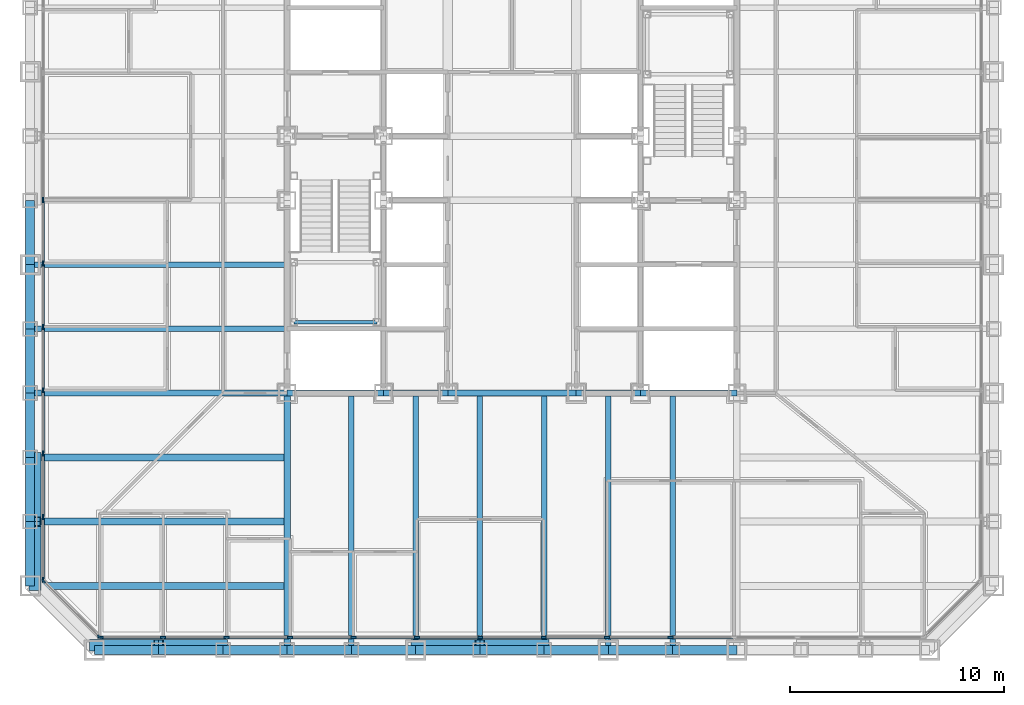
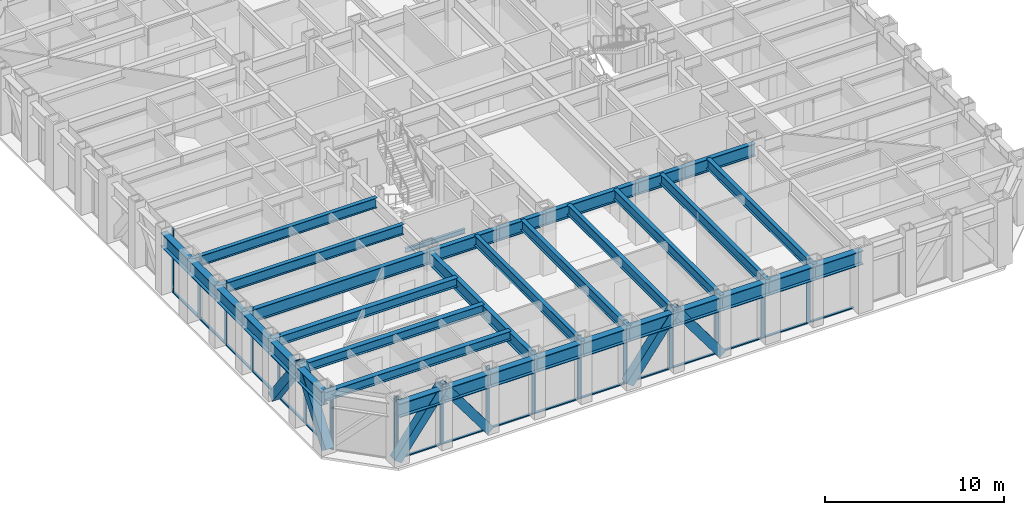
# One storey, part 2 of 17: 41 members, 35 beams, 3 elements without a shape of their own.
"""IFC4 building model written with IfcOpenShell, lengths in metres."""

from ifc_helpers import new_model, si_unit, direction, frame, origin, origin_2d, place, context, subcontext, project, spatial, rectangle, hollow_rectangle, i_section, extrude, material, layer, layer_set, material_profile, profile_set, type_object, element, aggregate, save


model = new_model("IFC4")

# Units and contexts
model_context = context("Model", 3, precision=1e-05, world=origin(), true_north=direction((0.0, 1.0)))
body_context = subcontext(model_context, "Body", "Model", "MODEL_VIEW")
ifc_project = project(units=[si_unit("LENGTHUNIT", "METRE"), si_unit("AREAUNIT", "SQUARE_METRE"), si_unit("VOLUMEUNIT", "CUBIC_METRE"), si_unit("PLANEANGLEUNIT", "RADIAN"), si_unit("MASSUNIT", "GRAM", prefix="KILO")], contexts=[model_context])

# Site, building, storey
site_placement = place(None, origin())
site = spatial("IfcSite", under=ifc_project, at=site_placement, CompositionType="ELEMENT")
building_placement = place(site_placement, origin())
building = spatial("IfcBuilding", under=site, at=building_placement, Name="Chuquiago Exchange Tower", CompositionType="ELEMENT")
storey_placement = place(building_placement, frame((0.0, 0.0, 42.300048828125)))
storey = spatial("IfcBuildingStorey", under=building, at=storey_placement, Name="L08", CompositionType="ELEMENT", Elevation=42.300048828125)

# Beams
ifc_material_1 = material(Name="Steel ASTM A992", Category="steel")
ifc_material_profile_1 = material_profile(ifc_material_1, i_section(OverallWidth=0.2919921875, OverallDepth=0.8583984375, WebThickness=0.01708984375, FlangeThickness=0.031005859375, at=origin_2d()), Name="W33X169")
ifc_profile_set_1 = profile_set([ifc_material_profile_1], Name="Steel ASTM A992")
beam_type_1 = type_object("IfcBeamType", Name="B3 W33X169", PredefinedType="BEAM", material=ifc_profile_set_1)
beam_1_placement = place(storey_placement, frame((12.0, 12.0, 3.610595703125), z_axis=(1.0, 0.0, 0.0), x_axis=(0.0, 1.0, 0.0)))
element("IfcBeam", 1, at=beam_1_placement, inside=storey, type_object=beam_type_1, Name="CB-L09-12_12-16.5_12", PredefinedType="BEAM", context=body_context, shape_type="SweptSolid", body=[
    extrude(i_section(OverallWidth=0.2919921875, OverallDepth=0.8583984375, WebThickness=0.01708984375, FlangeThickness=0.031005859375, at=origin_2d()), origin(), (0.0, 0.0, 1.0), 4.5),
])
beam_2_placement = place(storey_placement, frame((16.5, 12.0, 3.610595703125), z_axis=(1.0, 0.0, 0.0), x_axis=(0.0, 1.0, 0.0)))
element("IfcBeam", 2, at=beam_2_placement, inside=storey, type_object=beam_type_1, Name="CB-L09-16.5_12-19.5_12", PredefinedType="BEAM", context=body_context, shape_type="SweptSolid", body=[
    extrude(i_section(OverallWidth=0.2919921875, OverallDepth=0.8583984375, WebThickness=0.01708984375, FlangeThickness=0.031005859375, at=origin_2d()), origin(), (0.0, 0.0, 1.0), 3.0),
])
beam_3_placement = place(storey_placement, frame((19.5, 12.0, 3.610595703125), z_axis=(1.0, 0.0, 0.0), x_axis=(0.0, 1.0, 0.0)))
element("IfcBeam", 3, at=beam_3_placement, inside=storey, type_object=beam_type_1, Name="CB-L09-19.5_12-25.5_12", PredefinedType="BEAM", context=body_context, shape_type="SweptSolid", body=[
    extrude(i_section(OverallWidth=0.2919921875, OverallDepth=0.8583984375, WebThickness=0.01708984375, FlangeThickness=0.031005859375, at=origin_2d()), origin(), (0.0, 0.0, 1.0), 6.0),
])
beam_4_placement = place(storey_placement, frame((25.5, 12.0, 3.610595703125), z_axis=(1.0, 0.0, 0.0), x_axis=(0.0, 1.0, 0.0)))
element("IfcBeam", 4, at=beam_4_placement, inside=storey, type_object=beam_type_1, Name="CB-L09-25.5_12-28.5_12", PredefinedType="BEAM", context=body_context, shape_type="SweptSolid", body=[
    extrude(i_section(OverallWidth=0.2919921875, OverallDepth=0.8583984375, WebThickness=0.01708984375, FlangeThickness=0.031005859375, at=origin_2d()), origin(), (0.0, 0.0, 1.0), 3.0),
])
beam_5_placement = place(storey_placement, frame((28.5, 12.0, 3.610595703125), z_axis=(1.0, 0.0, 0.0), x_axis=(0.0, 1.0, 0.0)))
element("IfcBeam", 5, at=beam_5_placement, inside=storey, type_object=beam_type_1, Name="CB-L09-28.5_12-33_12", PredefinedType="BEAM", context=body_context, shape_type="SweptSolid", body=[
    extrude(i_section(OverallWidth=0.2919921875, OverallDepth=0.8583984375, WebThickness=0.01708984375, FlangeThickness=0.031005859375, at=origin_2d()), origin(), (0.0, 0.0, 1.0), 4.5),
])
ifc_material_2 = material(Name="Steel ASTM A992", Category="steel")
ifc_material_profile_2 = material_profile(ifc_material_2, i_section(OverallWidth=0.256591796875, OverallDepth=0.693359375, WebThickness=0.014404296875, FlangeThickness=0.023681640625, at=origin_2d()), Name="W27X114")
ifc_profile_set_2 = profile_set([ifc_material_profile_2], Name="Steel ASTM A992")
beam_type_2 = type_object("IfcBeamType", Name="B4 W27X114", PredefinedType="BEAM", material=ifc_profile_set_2)
for number, where, z_axis, x_axis, name in (
    (6, (15.0, 12.0, 3.693359375), (0.0, -1.0, 0.0), (1.0, 0.0, 0.0), "FB-L09-infill-15_12-15_-0-0"),
    (7, (18.0, 12.0, 3.693359375), (0.0, -1.0, 0.0), (1.0, 0.0, 0.0), "FB-L09-infill-18_12-18_-0-0"),
    (8, (21.0, 12.0, 3.693359375), (0.0, -1.0, 0.0), (1.0, 0.0, 0.0), "FB-L09-infill-21_12-21_-0-0"),
    (9, (24.0, 12.0, 3.693359375), (0.0, -1.0, 0.0), (1.0, 0.0, 0.0), "FB-L09-infill-24_12-24_-0-0"),
    (10, (27.0, 12.0, 3.693359375), (0.0, -1.0, 0.0), (1.0, 0.0, 0.0), "FB-L09-infill-27_12-27_-0-0"),
    (11, (30.0, 12.0, 3.693359375), (0.0, -1.0, 0.0), (1.0, 0.0, 0.0), "FB-L09-infill-30_12-30_-0-0"),
    (12, (12.0, 15.0, 3.693359375), (-1.0, 0.0, 0.0), (0.0, -1.0, 0.0), "FB-L09-infill-12_15--0_15-0"),
    (13, (12.0, 18.0, 3.693359375), (-1.0, 0.0, 0.0), (0.0, -1.0, 0.0), "FB-L09-infill-12_18--0_18-0"),
):
    element("IfcBeam", number, at=place(storey_placement, frame(where, z_axis=z_axis, x_axis=x_axis)), inside=storey, type_object=beam_type_2, Name=name, PredefinedType="BEAM", context=body_context, shape_type="SweptSolid", body=[
        extrude(i_section(OverallWidth=0.256591796875, OverallDepth=0.693359375, WebThickness=0.014404296875, FlangeThickness=0.023681640625, at=origin_2d()), origin(), (0.0, 0.0, 1.0), 12.0),
    ])
ifc_material_3 = material(Name="Steel ASTM A992", Category="steel")
ifc_material_profile_3 = material_profile(ifc_material_3, i_section(OverallWidth=0.3251953125, OverallDepth=0.6171875, WebThickness=0.013916015625, FlangeThickness=0.021484375, at=origin_2d()), Name="W24X117")
ifc_profile_set_3 = profile_set([ifc_material_profile_3], Name="Steel ASTM A992")
beam_type_3 = type_object("IfcBeamType", Name="B5 W24X117", PredefinedType="BEAM", material=ifc_profile_set_3)
for number, where, z_axis, x_axis, name in (
    (14, (12.0, 3.0, 3.7314453125), (-1.0, 0.0, 0.0), (0.0, -1.0, 0.0), "FB-L09-corner-12_3--0_3-0"),
    (15, (12.0, 6.0, 3.7314453125), (-1.0, 0.0, 0.0), (0.0, -1.0, 0.0), "FB-L09-corner-12_6--0_6-0"),
    (16, (12.0, 9.0, 3.7314453125), (-1.0, 0.0, 0.0), (0.0, -1.0, 0.0), "FB-L09-corner-12_9--0_9-0"),
):
    element("IfcBeam", number, at=place(storey_placement, frame(where, z_axis=z_axis, x_axis=x_axis)), inside=storey, type_object=beam_type_3, Name=name, PredefinedType="BEAM", context=body_context, shape_type="SweptSolid", body=[
        extrude(i_section(OverallWidth=0.3251953125, OverallDepth=0.6171875, WebThickness=0.013916015625, FlangeThickness=0.021484375, at=origin_2d()), origin(), (0.0, 0.0, 1.0), 12.0),
    ])

# Curtain wall, members
ifc_material_4 = material(Name="Aluminium curtain wall system", Category="aluminium")
ifc_layer_1 = layer(ifc_material_4, 0.25)
ifc_layer_set_1 = layer_set([ifc_layer_1], Name="CW1 trading floor curtain wall")
curtain_wall_type_1 = type_object("IfcCurtainWallType", Name="CW1 trading floor curtain wall", PredefinedType="NOTDEFINED", material=ifc_layer_set_1)
curtain_wall_1_placement = place(storey_placement, origin())
curtain_wall_1 = element("IfcCurtainWall", 17, at=curtain_wall_1_placement, inside=storey, type_object=curtain_wall_type_1, Name="CW1 curtain wall L08", PredefinedType="NOTDEFINED")
ifc_material_5 = material(Name="Aluminium mullion, pale anodised", Category="aluminium")
ifc_material_profile_4 = material_profile(ifc_material_5, rectangle(XDim=0.074951171875, YDim=0.25, at=origin_2d()), Name="AL 75x250")
ifc_profile_set_4 = profile_set([ifc_material_profile_4], Name="Aluminium mullion, pale anodised")
member_type_1 = type_object("IfcMemberType", Name="CW1-M mullion 75x250", PredefinedType="MULLION", material=ifc_profile_set_4)
member_1_placement = place(storey_placement, frame((3.285888671875, 0.60009765625, -0.300048828125), z_axis=(0.0, 0.0, 1.0), x_axis=(0.0, 1.0, 0.0)))
member_1 = element("IfcMember", 18, at=member_1_placement, type_object=member_type_1, Name="CW1 mullion 1", PredefinedType="MULLION", context=body_context, shape_type="SweptSolid", body=[
    extrude(rectangle(XDim=0.074951171875, YDim=0.25, at=origin_2d()), origin(), (0.0, 0.0, 1.0), 4.340087890625),
])
member_2_placement = place(storey_placement, frame((6.210205078125, 0.60009765625, -0.300048828125), z_axis=(0.0, 0.0, 1.0), x_axis=(0.0, 1.0, 0.0)))
member_2 = element("IfcMember", 19, at=member_2_placement, type_object=member_type_1, Name="CW1 mullion 2", PredefinedType="MULLION", context=body_context, shape_type="SweptSolid", body=[
    extrude(rectangle(XDim=0.074951171875, YDim=0.25, at=origin_2d()), origin(), (0.0, 0.0, 1.0), 4.340087890625),
])
member_3_placement = place(storey_placement, frame((9.172119140625, 0.60009765625, -0.300048828125), z_axis=(0.0, 0.0, 1.0), x_axis=(0.0, 1.0, 0.0)))
member_3 = element("IfcMember", 20, at=member_3_placement, type_object=member_type_1, Name="CW1 mullion 3", PredefinedType="MULLION", context=body_context, shape_type="SweptSolid", body=[
    extrude(rectangle(XDim=0.074951171875, YDim=0.25, at=origin_2d()), origin(), (0.0, 0.0, 1.0), 4.340087890625),
])
member_4_placement = place(storey_placement, frame((12.1337890625, 0.60009765625, -0.300048828125), z_axis=(0.0, 0.0, 1.0), x_axis=(0.0, 1.0, 0.0)))
member_4 = element("IfcMember", 21, at=member_4_placement, type_object=member_type_1, Name="CW1 mullion 4", PredefinedType="MULLION", context=body_context, shape_type="SweptSolid", body=[
    extrude(rectangle(XDim=0.074951171875, YDim=0.25, at=origin_2d()), origin(), (0.0, 0.0, 1.0), 4.340087890625),
])
member_5_placement = place(storey_placement, frame((15.095458984375, 0.60009765625, -0.300048828125), z_axis=(0.0, 0.0, 1.0), x_axis=(0.0, 1.0, 0.0)))
member_5 = element("IfcMember", 22, at=member_5_placement, type_object=member_type_1, Name="CW1 mullion 5", PredefinedType="MULLION", context=body_context, shape_type="SweptSolid", body=[
    extrude(rectangle(XDim=0.074951171875, YDim=0.25, at=origin_2d()), origin(), (0.0, 0.0, 1.0), 4.340087890625),
])
member_6_placement = place(storey_placement, frame((18.057373046875, 0.60009765625, -0.300048828125), z_axis=(0.0, 0.0, 1.0), x_axis=(0.0, 1.0, 0.0)))
member_6 = element("IfcMember", 23, at=member_6_placement, type_object=member_type_1, Name="CW1 mullion 6", PredefinedType="MULLION", context=body_context, shape_type="SweptSolid", body=[
    extrude(rectangle(XDim=0.074951171875, YDim=0.25, at=origin_2d()), origin(), (0.0, 0.0, 1.0), 4.340087890625),
])
member_7_placement = place(storey_placement, frame((21.01904296875, 0.60009765625, -0.300048828125), z_axis=(0.0, 0.0, 1.0), x_axis=(0.0, 1.0, 0.0)))
member_7 = element("IfcMember", 24, at=member_7_placement, type_object=member_type_1, Name="CW1 mullion 7", PredefinedType="MULLION", context=body_context, shape_type="SweptSolid", body=[
    extrude(rectangle(XDim=0.074951171875, YDim=0.25, at=origin_2d()), origin(), (0.0, 0.0, 1.0), 4.340087890625),
])
member_8_placement = place(storey_placement, frame((23.98095703125, 0.60009765625, -0.300048828125), z_axis=(0.0, 0.0, 1.0), x_axis=(0.0, 1.0, 0.0)))
member_8 = element("IfcMember", 25, at=member_8_placement, type_object=member_type_1, Name="CW1 mullion 8", PredefinedType="MULLION", context=body_context, shape_type="SweptSolid", body=[
    extrude(rectangle(XDim=0.074951171875, YDim=0.25, at=origin_2d()), origin(), (0.0, 0.0, 1.0), 4.340087890625),
])
member_9_placement = place(storey_placement, frame((26.942626953125, 0.60009765625, -0.300048828125), z_axis=(0.0, 0.0, 1.0), x_axis=(0.0, 1.0, 0.0)))
member_9 = element("IfcMember", 26, at=member_9_placement, type_object=member_type_1, Name="CW1 mullion 9", PredefinedType="MULLION", context=body_context, shape_type="SweptSolid", body=[
    extrude(rectangle(XDim=0.074951171875, YDim=0.25, at=origin_2d()), origin(), (0.0, 0.0, 1.0), 4.340087890625),
])
member_10_placement = place(storey_placement, frame((29.904541015625, 0.60009765625, -0.300048828125), z_axis=(0.0, 0.0, 1.0), x_axis=(0.0, 1.0, 0.0)))
member_10 = element("IfcMember", 27, at=member_10_placement, type_object=member_type_1, Name="CW1 mullion 10", PredefinedType="MULLION", context=body_context, shape_type="SweptSolid", body=[
    extrude(rectangle(XDim=0.074951171875, YDim=0.25, at=origin_2d()), origin(), (0.0, 0.0, 1.0), 4.340087890625),
])

curtain_wall_2_placement = place(storey_placement, origin())
curtain_wall_2 = element("IfcCurtainWall", 28, at=curtain_wall_2_placement, inside=storey, type_object=curtain_wall_type_1, Name="CW1 curtain wall L08", PredefinedType="NOTDEFINED")
member_11_placement = place(storey_placement, frame((0.60009765625, 21.01904296875, -0.300048828125), z_axis=(0.0, 0.0, 1.0), x_axis=(1.0, 0.0, 0.0)))
member_11 = element("IfcMember", 29, at=member_11_placement, type_object=member_type_1, Name="CW1 mullion 8", PredefinedType="MULLION", context=body_context, shape_type="SweptSolid", body=[
    extrude(rectangle(XDim=0.074951171875, YDim=0.25, at=origin_2d()), origin(), (0.0, 0.0, 1.0), 4.340087890625),
])
member_12_placement = place(storey_placement, frame((0.60009765625, 18.057373046875, -0.300048828125), z_axis=(0.0, 0.0, 1.0), x_axis=(1.0, 0.0, 0.0)))
member_12 = element("IfcMember", 30, at=member_12_placement, type_object=member_type_1, Name="CW1 mullion 9", PredefinedType="MULLION", context=body_context, shape_type="SweptSolid", body=[
    extrude(rectangle(XDim=0.074951171875, YDim=0.25, at=origin_2d()), origin(), (0.0, 0.0, 1.0), 4.340087890625),
])
member_13_placement = place(storey_placement, frame((0.60009765625, 15.095458984375, -0.300048828125), z_axis=(0.0, 0.0, 1.0), x_axis=(1.0, 0.0, 0.0)))
member_13 = element("IfcMember", 31, at=member_13_placement, type_object=member_type_1, Name="CW1 mullion 10", PredefinedType="MULLION", context=body_context, shape_type="SweptSolid", body=[
    extrude(rectangle(XDim=0.074951171875, YDim=0.25, at=origin_2d()), origin(), (0.0, 0.0, 1.0), 4.340087890625),
])
member_14_placement = place(storey_placement, frame((0.60009765625, 12.1337890625, -0.300048828125), z_axis=(0.0, 0.0, 1.0), x_axis=(1.0, 0.0, 0.0)))
member_14 = element("IfcMember", 32, at=member_14_placement, type_object=member_type_1, Name="CW1 mullion 11", PredefinedType="MULLION", context=body_context, shape_type="SweptSolid", body=[
    extrude(rectangle(XDim=0.074951171875, YDim=0.25, at=origin_2d()), origin(), (0.0, 0.0, 1.0), 4.340087890625),
])
member_15_placement = place(storey_placement, frame((0.60009765625, 9.172119140625, -0.300048828125), z_axis=(0.0, 0.0, 1.0), x_axis=(1.0, 0.0, 0.0)))
member_15 = element("IfcMember", 33, at=member_15_placement, type_object=member_type_1, Name="CW1 mullion 12", PredefinedType="MULLION", context=body_context, shape_type="SweptSolid", body=[
    extrude(rectangle(XDim=0.074951171875, YDim=0.25, at=origin_2d()), origin(), (0.0, 0.0, 1.0), 4.340087890625),
])
member_16_placement = place(storey_placement, frame((0.60009765625, 6.210205078125, -0.300048828125), z_axis=(0.0, 0.0, 1.0), x_axis=(1.0, 0.0, 0.0)))
member_16 = element("IfcMember", 34, at=member_16_placement, type_object=member_type_1, Name="CW1 mullion 13", PredefinedType="MULLION", context=body_context, shape_type="SweptSolid", body=[
    extrude(rectangle(XDim=0.074951171875, YDim=0.25, at=origin_2d()), origin(), (0.0, 0.0, 1.0), 4.340087890625),
])
member_17_placement = place(storey_placement, frame((0.60009765625, 3.285888671875, -0.300048828125), z_axis=(0.0, 0.0, 1.0), x_axis=(1.0, 0.0, 0.0)))
member_17 = element("IfcMember", 35, at=member_17_placement, type_object=member_type_1, Name="CW1 mullion 14", PredefinedType="MULLION", context=body_context, shape_type="SweptSolid", body=[
    extrude(rectangle(XDim=0.074951171875, YDim=0.25, at=origin_2d()), origin(), (0.0, 0.0, 1.0), 4.340087890625),
])

# Member
ifc_material_6 = material(Name="Aluminium transom, pale anodised", Category="aluminium")
ifc_material_profile_5 = material_profile(ifc_material_6, rectangle(XDim=0.14990234375, YDim=0.074951171875, at=origin_2d()), Name="AL 150x75")
ifc_profile_set_5 = profile_set([ifc_material_profile_5], Name="Aluminium transom, pale anodised")
member_type_2 = type_object("IfcMemberType", Name="CW1-T transom 75x150", PredefinedType="MULLION", material=ifc_profile_set_5)
member_18_placement = place(storey_placement, frame((3.323486328125, 0.60009765625, -0.262451171875), z_axis=(1.0, 0.0, 0.0), x_axis=(0.0, 1.0, 0.0)))
member_18 = element("IfcMember", 36, at=member_18_placement, type_object=member_type_2, Name="CW1 transom 1.1", PredefinedType="MULLION", context=body_context, shape_type="SweptSolid", body=[
    extrude(rectangle(XDim=0.14990234375, YDim=0.074951171875, at=origin_2d()), origin(), (0.0, 0.0, 1.0), 2.849365234375),
])

member_19_placement = place(storey_placement, frame((6.247802734375, 0.60009765625, -0.262451171875), z_axis=(1.0, 0.0, 0.0), x_axis=(0.0, 1.0, 0.0)))
member_19 = element("IfcMember", 37, at=member_19_placement, type_object=member_type_2, Name="CW1 transom 2.1", PredefinedType="MULLION", context=body_context, shape_type="SweptSolid", body=[
    extrude(rectangle(XDim=0.14990234375, YDim=0.074951171875, at=origin_2d()), origin(), (0.0, 0.0, 1.0), 2.88671875),
])

member_20_placement = place(storey_placement, frame((9.20947265625, 0.60009765625, -0.262451171875), z_axis=(1.0, 0.0, 0.0), x_axis=(0.0, 1.0, 0.0)))
member_20 = element("IfcMember", 38, at=member_20_placement, type_object=member_type_2, Name="CW1 transom 3.1", PredefinedType="MULLION", context=body_context, shape_type="SweptSolid", body=[
    extrude(rectangle(XDim=0.14990234375, YDim=0.074951171875, at=origin_2d()), origin(), (0.0, 0.0, 1.0), 2.88671875),
])

member_21_placement = place(storey_placement, frame((12.17138671875, 0.60009765625, -0.262451171875), z_axis=(1.0, 0.0, 0.0), x_axis=(0.0, 1.0, 0.0)))
member_21 = element("IfcMember", 39, at=member_21_placement, type_object=member_type_2, Name="CW1 transom 4.1", PredefinedType="MULLION", context=body_context, shape_type="SweptSolid", body=[
    extrude(rectangle(XDim=0.14990234375, YDim=0.074951171875, at=origin_2d()), origin(), (0.0, 0.0, 1.0), 2.88671875),
])

member_22_placement = place(storey_placement, frame((15.133056640625, 0.60009765625, -0.262451171875), z_axis=(1.0, 0.0, 0.0), x_axis=(0.0, 1.0, 0.0)))
member_22 = element("IfcMember", 40, at=member_22_placement, type_object=member_type_2, Name="CW1 transom 5.1", PredefinedType="MULLION", context=body_context, shape_type="SweptSolid", body=[
    extrude(rectangle(XDim=0.14990234375, YDim=0.074951171875, at=origin_2d()), origin(), (0.0, 0.0, 1.0), 2.88671875),
])

member_23_placement = place(storey_placement, frame((18.0947265625, 0.60009765625, -0.262451171875), z_axis=(1.0, 0.0, 0.0), x_axis=(0.0, 1.0, 0.0)))
member_23 = element("IfcMember", 41, at=member_23_placement, type_object=member_type_2, Name="CW1 transom 6.1", PredefinedType="MULLION", context=body_context, shape_type="SweptSolid", body=[
    extrude(rectangle(XDim=0.14990234375, YDim=0.074951171875, at=origin_2d()), origin(), (0.0, 0.0, 1.0), 2.886962890625),
])

member_24_placement = place(storey_placement, frame((21.056640625, 0.60009765625, -0.262451171875), z_axis=(1.0, 0.0, 0.0), x_axis=(0.0, 1.0, 0.0)))
member_24 = element("IfcMember", 42, at=member_24_placement, type_object=member_type_2, Name="CW1 transom 7.1", PredefinedType="MULLION", context=body_context, shape_type="SweptSolid", body=[
    extrude(rectangle(XDim=0.14990234375, YDim=0.074951171875, at=origin_2d()), origin(), (0.0, 0.0, 1.0), 2.88671875),
])

member_25_placement = place(storey_placement, frame((24.018310546875, 0.60009765625, -0.262451171875), z_axis=(1.0, 0.0, 0.0), x_axis=(0.0, 1.0, 0.0)))
member_25 = element("IfcMember", 43, at=member_25_placement, type_object=member_type_2, Name="CW1 transom 8.1", PredefinedType="MULLION", context=body_context, shape_type="SweptSolid", body=[
    extrude(rectangle(XDim=0.14990234375, YDim=0.074951171875, at=origin_2d()), origin(), (0.0, 0.0, 1.0), 2.886962890625),
])

member_26_placement = place(storey_placement, frame((26.980224609375, 0.60009765625, -0.262451171875), z_axis=(1.0, 0.0, 0.0), x_axis=(0.0, 1.0, 0.0)))
member_26 = element("IfcMember", 44, at=member_26_placement, type_object=member_type_2, Name="CW1 transom 9.1", PredefinedType="MULLION", context=body_context, shape_type="SweptSolid", body=[
    extrude(rectangle(XDim=0.14990234375, YDim=0.074951171875, at=origin_2d()), origin(), (0.0, 0.0, 1.0), 2.88671875),
])

member_27_placement = place(storey_placement, frame((29.94189453125, 0.60009765625, -0.262451171875), z_axis=(1.0, 0.0, 0.0), x_axis=(0.0, 1.0, 0.0)))
member_27 = element("IfcMember", 45, at=member_27_placement, type_object=member_type_2, Name="CW1 transom 10.1", PredefinedType="MULLION", context=body_context, shape_type="SweptSolid", body=[
    extrude(rectangle(XDim=0.14990234375, YDim=0.074951171875, at=origin_2d()), origin(), (0.0, 0.0, 1.0), 2.88671875),
])

aggregate(curtain_wall_1, [member_1, member_2, member_3, member_4, member_5, member_6, member_7, member_8, member_9, member_10, member_18, member_19, member_20, member_21, member_22, member_23, member_24, member_25, member_26, member_27])

member_28_placement = place(storey_placement, frame((0.60009765625, 20.981689453125, -0.262451171875), z_axis=(0.0, -1.0, 0.0), x_axis=(1.0, 0.0, 0.0)))
member_28 = element("IfcMember", 46, at=member_28_placement, type_object=member_type_2, Name="CW1 transom 8.1", PredefinedType="MULLION", context=body_context, shape_type="SweptSolid", body=[
    extrude(rectangle(XDim=0.14990234375, YDim=0.074951171875, at=origin_2d()), origin(), (0.0, 0.0, 1.0), 2.886962890625),
])

member_29_placement = place(storey_placement, frame((0.60009765625, 18.019775390625, -0.262451171875), z_axis=(0.0, -1.0, 0.0), x_axis=(1.0, 0.0, 0.0)))
member_29 = element("IfcMember", 47, at=member_29_placement, type_object=member_type_2, Name="CW1 transom 9.1", PredefinedType="MULLION", context=body_context, shape_type="SweptSolid", body=[
    extrude(rectangle(XDim=0.14990234375, YDim=0.074951171875, at=origin_2d()), origin(), (0.0, 0.0, 1.0), 2.88671875),
])

member_30_placement = place(storey_placement, frame((0.60009765625, 15.05810546875, -0.262451171875), z_axis=(0.0, -1.0, 0.0), x_axis=(1.0, 0.0, 0.0)))
member_30 = element("IfcMember", 48, at=member_30_placement, type_object=member_type_2, Name="CW1 transom 10.1", PredefinedType="MULLION", context=body_context, shape_type="SweptSolid", body=[
    extrude(rectangle(XDim=0.14990234375, YDim=0.074951171875, at=origin_2d()), origin(), (0.0, 0.0, 1.0), 2.88671875),
])

member_31_placement = place(storey_placement, frame((0.60009765625, 12.09619140625, -0.262451171875), z_axis=(0.0, -1.0, 0.0), x_axis=(1.0, 0.0, 0.0)))
member_31 = element("IfcMember", 49, at=member_31_placement, type_object=member_type_2, Name="CW1 transom 11.1", PredefinedType="MULLION", context=body_context, shape_type="SweptSolid", body=[
    extrude(rectangle(XDim=0.14990234375, YDim=0.074951171875, at=origin_2d()), origin(), (0.0, 0.0, 1.0), 2.88671875),
])

member_32_placement = place(storey_placement, frame((0.60009765625, 9.134521484375, -0.262451171875), z_axis=(0.0, -1.0, 0.0), x_axis=(1.0, 0.0, 0.0)))
member_32 = element("IfcMember", 50, at=member_32_placement, type_object=member_type_2, Name="CW1 transom 12.1", PredefinedType="MULLION", context=body_context, shape_type="SweptSolid", body=[
    extrude(rectangle(XDim=0.14990234375, YDim=0.074951171875, at=origin_2d()), origin(), (0.0, 0.0, 1.0), 2.88671875),
])

member_33_placement = place(storey_placement, frame((0.60009765625, 6.1728515625, -0.262451171875), z_axis=(0.0, -1.0, 0.0), x_axis=(1.0, 0.0, 0.0)))
member_33 = element("IfcMember", 51, at=member_33_placement, type_object=member_type_2, Name="CW1 transom 13.1", PredefinedType="MULLION", context=body_context, shape_type="SweptSolid", body=[
    extrude(rectangle(XDim=0.14990234375, YDim=0.074951171875, at=origin_2d()), origin(), (0.0, 0.0, 1.0), 2.849365234375),
])

aggregate(curtain_wall_2, [member_11, member_12, member_13, member_14, member_15, member_16, member_17, member_28, member_29, member_30, member_31, member_32, member_33])

# Curtain wall, members
ifc_material_7 = material(Name="Aluminium curtain wall system", Category="aluminium")
ifc_layer_2 = layer(ifc_material_7, 0.199951171875)
ifc_layer_set_2 = layer_set([ifc_layer_2], Name="CW3 facet curtain wall")
curtain_wall_type_2 = type_object("IfcCurtainWallType", Name="CW3 facet curtain wall", PredefinedType="NOTDEFINED", material=ifc_layer_set_2)
curtain_wall_3_placement = place(storey_placement, origin())
curtain_wall_3 = element("IfcCurtainWall", 52, at=curtain_wall_3_placement, inside=storey, type_object=curtain_wall_type_2, Name="CW3 curtain wall L08", PredefinedType="NOTDEFINED")
ifc_material_8 = material(Name="Aluminium mullion, pale anodised", Category="aluminium")
ifc_material_profile_6 = material_profile(ifc_material_8, rectangle(XDim=0.06494140625, YDim=0.199951171875, at=origin_2d()), Name="AL 65x200")
ifc_profile_set_6 = profile_set([ifc_material_profile_6], Name="Aluminium mullion, pale anodised")
member_type_3 = type_object("IfcMemberType", Name="CW3-M mullion 65x200", PredefinedType="MULLION", material=ifc_profile_set_6)
member_34_placement = place(storey_placement, frame((0.623046875, 3.2255859375, -0.300048828125), z_axis=(0.0, 0.0, 1.0), x_axis=(0.707106781187, 0.707106781187, 0.0)))
member_34 = element("IfcMember", 53, at=member_34_placement, type_object=member_type_3, Name="CW3 mullion 1", PredefinedType="MULLION", context=body_context, shape_type="SweptSolid", body=[
    extrude(rectangle(XDim=0.06494140625, YDim=0.199951171875, at=origin_2d()), origin(), (0.0, 0.0, 1.0), 4.340087890625),
])
member_35_placement = place(storey_placement, frame((3.2255859375, 0.623046875, -0.300048828125), z_axis=(0.0, 0.0, 1.0), x_axis=(0.707106781187, 0.707106781187, 0.0)))
member_35 = element("IfcMember", 54, at=member_35_placement, type_object=member_type_3, Name="CW3 mullion 2", PredefinedType="MULLION", context=body_context, shape_type="SweptSolid", body=[
    extrude(rectangle(XDim=0.06494140625, YDim=0.199951171875, at=origin_2d()), origin(), (0.0, 0.0, 1.0), 4.340087890625),
])
aggregate(curtain_wall_3, [member_34, member_35])

# Beams
ifc_material_9 = material(Name="Steel ASTM A992", Category="steel")
ifc_material_profile_7 = material_profile(ifc_material_9, i_section(OverallWidth=0.2919921875, OverallDepth=0.8583984375, WebThickness=0.01708984375, FlangeThickness=0.031005859375, at=origin_2d()), Name="W33X169")
ifc_profile_set_7 = profile_set([ifc_material_profile_7], Name="Steel ASTM A992")
beam_type_4 = type_object("IfcBeamType", Name="G2 W33X169", PredefinedType="BEAM", material=ifc_profile_set_7)
for number, where, z_axis, x_axis, name in (
    (55, (12.0, 12.0, 3.610595703125), (0.0, -1.0, 0.0), (1.0, 0.0, 0.0), "FB-L09-girder-12_12-12_-0-0"),
    (56, (12.0, 12.0, 3.610595703125), (-1.0, 0.0, 0.0), (0.0, -1.0, 0.0), "FB-L09-girder-12_12--0_12-0"),
):
    element("IfcBeam", number, at=place(storey_placement, frame(where, z_axis=z_axis, x_axis=x_axis)), inside=storey, type_object=beam_type_4, Name=name, PredefinedType="BEAM", context=body_context, shape_type="SweptSolid", body=[
        extrude(i_section(OverallWidth=0.2919921875, OverallDepth=0.8583984375, WebThickness=0.01708984375, FlangeThickness=0.031005859375, at=origin_2d()), origin(), (0.0, 0.0, 1.0), 12.0),
    ])
ifc_material_10 = material(Name="Steel ASTM A992", Category="steel")
ifc_material_profile_8 = material_profile(ifc_material_10, i_section(OverallWidth=0.164794921875, OverallDepth=0.309814453125, WebThickness=0.005859375, FlangeThickness=0.009765625, at=origin_2d()), Name="W12X26")
ifc_profile_set_8 = profile_set([ifc_material_profile_8], Name="Steel ASTM A992")
beam_type_5 = type_object("IfcBeamType", Name="LT1 W12X26", PredefinedType="BEAM", material=ifc_profile_set_8)
beam_6_placement = place(storey_placement, frame((12.31005859375, 15.31005859375, 1.89501953125), z_axis=(1.0, 0.0, 0.0), x_axis=(0.0, 1.0, 0.0)))
element("IfcBeam", 57, at=beam_6_placement, inside=storey, type_object=beam_type_5, Name="Stair ST1 L08 landing 1 trimmer", PredefinedType="BEAM", context=body_context, shape_type="SweptSolid", body=[
    extrude(i_section(OverallWidth=0.164794921875, OverallDepth=0.309814453125, WebThickness=0.005859375, FlangeThickness=0.009765625, at=origin_2d()), origin(), (0.0, 0.0, 1.0), 3.8798828125),
])

# Members
ifc_material_11 = material(Name="Steel ASTM A572 Grade 50", Category="steel")
ifc_material_profile_9 = material_profile(ifc_material_11, hollow_rectangle(XDim=0.550048828125, YDim=0.550048828125, WallThickness=0.044921875, at=origin_2d()), Name="BOX550X550X45")
ifc_profile_set_9 = profile_set([ifc_material_profile_9], Name="Steel ASTM A572 Grade 50")
member_type_4 = type_object("IfcMemberType", Name="MB1 BOX550X550X45", PredefinedType="BRACE", material=ifc_profile_set_9)
for number, where, z_axis, x_axis, name in (
    (58, (3.0, 0.22998046875, 0.0), (0.596173923302, 0.0, 0.802855312728), (0.0, 1.0, 0.0), "Mega diagonal L08 S face"),
    (59, (9.0, 0.22998046875, 0.0), (-0.596173923302, 0.0, 0.802855312728), (0.0, -1.0, 0.0), "Mega diagonal L08 S face"),
    (60, (18.0, 0.22998046875, 0.0), (0.596173923302, 0.0, 0.802855312728), (0.0, 1.0, 0.0), "Mega diagonal L08 S face"),
    (61, (24.0, 0.22998046875, 0.0), (-0.596173923302, 0.0, 0.802855312728), (0.0, -1.0, 0.0), "Mega diagonal L08 S face"),
    (62, (0.22998046875, 9.0, 0.0), (0.0, -0.596173923302, 0.802855312728), (1.0, 0.0, 0.0), "Mega diagonal L08 W face"),
    (63, (0.22998046875, 3.0, 0.0), (0.0, 0.596173923302, 0.802855312728), (-1.0, 0.0, 0.0), "Mega diagonal L08 W face"),
):
    element("IfcMember", number, at=place(storey_placement, frame(where, z_axis=z_axis, x_axis=x_axis)), inside=storey, type_object=member_type_4, Name=name, PredefinedType="BRACE", context=body_context, shape_type="SweptSolid", body=[
        extrude(hollow_rectangle(XDim=0.550048828125, YDim=0.550048828125, WallThickness=0.044921875, at=origin_2d()), origin(), (0.0, 0.0, 1.0), 5.031982421875),
    ])

# Beams
ifc_material_12 = material(Name="Steel ASTM A992", Category="steel")
ifc_material_profile_10 = material_profile(ifc_material_12, i_section(OverallWidth=0.424072265625, OverallDepth=0.947509765625, WebThickness=0.02392578125, FlangeThickness=0.042724609375, at=origin_2d()), Name="W36X302")
ifc_profile_set_10 = profile_set([ifc_material_profile_10], Name="Steel ASTM A992")
beam_type_6 = type_object("IfcBeamType", Name="SP1 W36X302", PredefinedType="SPANDREL", material=ifc_profile_set_10)
for number, where, z_axis, x_axis, name in (
    (64, (3.0, 0.0, 3.566162109375), (1.0, 0.0, 0.0), (0.0, 1.0, 0.0), "SPB-L09-3_0-6_0"),
    (65, (6.0, 0.0, 3.566162109375), (1.0, 0.0, 0.0), (0.0, 1.0, 0.0), "SPB-L09-6_0-9_0"),
    (66, (9.0, 0.0, 3.566162109375), (1.0, 0.0, 0.0), (0.0, 1.0, 0.0), "SPB-L09-9_0-12_0"),
    (67, (12.0, 0.0, 3.566162109375), (1.0, 0.0, 0.0), (0.0, 1.0, 0.0), "SPB-L09-12_0-15_0"),
    (68, (15.0, 0.0, 3.566162109375), (1.0, 0.0, 0.0), (0.0, 1.0, 0.0), "SPB-L09-15_0-18_0"),
    (69, (18.0, 0.0, 3.566162109375), (1.0, 0.0, 0.0), (0.0, 1.0, 0.0), "SPB-L09-18_0-21_0"),
    (70, (21.0, 0.0, 3.566162109375), (1.0, 0.0, 0.0), (0.0, 1.0, 0.0), "SPB-L09-21_0-24_0"),
    (71, (24.0, 0.0, 3.566162109375), (1.0, 0.0, 0.0), (0.0, 1.0, 0.0), "SPB-L09-24_0-27_0"),
    (72, (27.0, 0.0, 3.566162109375), (1.0, 0.0, 0.0), (0.0, 1.0, 0.0), "SPB-L09-27_0-30_0"),
    (73, (30.0, 0.0, 3.566162109375), (1.0, 0.0, 0.0), (0.0, 1.0, 0.0), "SPB-L09-30_0-33_0"),
    (74, (0.0, 21.0, 3.566162109375), (0.0, -1.0, 0.0), (1.0, 0.0, 0.0), "SPB-L09-0_21-0_18"),
    (75, (0.0, 18.0, 3.566162109375), (0.0, -1.0, 0.0), (1.0, 0.0, 0.0), "SPB-L09-0_18-0_15"),
    (76, (0.0, 15.0, 3.566162109375), (0.0, -1.0, 0.0), (1.0, 0.0, 0.0), "SPB-L09-0_15-0_12"),
    (77, (0.0, 12.0, 3.566162109375), (0.0, -1.0, 0.0), (1.0, 0.0, 0.0), "SPB-L09-0_12-0_9"),
    (78, (0.0, 9.0, 3.566162109375), (0.0, -1.0, 0.0), (1.0, 0.0, 0.0), "SPB-L09-0_9-0_6"),
    (79, (0.0, 6.0, 3.566162109375), (0.0, -1.0, 0.0), (1.0, 0.0, 0.0), "SPB-L09-0_6-0_3"),
):
    element("IfcBeam", number, at=place(storey_placement, frame(where, z_axis=z_axis, x_axis=x_axis)), inside=storey, type_object=beam_type_6, Name=name, PredefinedType="SPANDREL", context=body_context, shape_type="SweptSolid", body=[
        extrude(i_section(OverallWidth=0.424072265625, OverallDepth=0.947509765625, WebThickness=0.02392578125, FlangeThickness=0.042724609375, at=origin_2d()), origin(), (0.0, 0.0, 1.0), 3.0),
    ])

save(model, "model.ifc")
